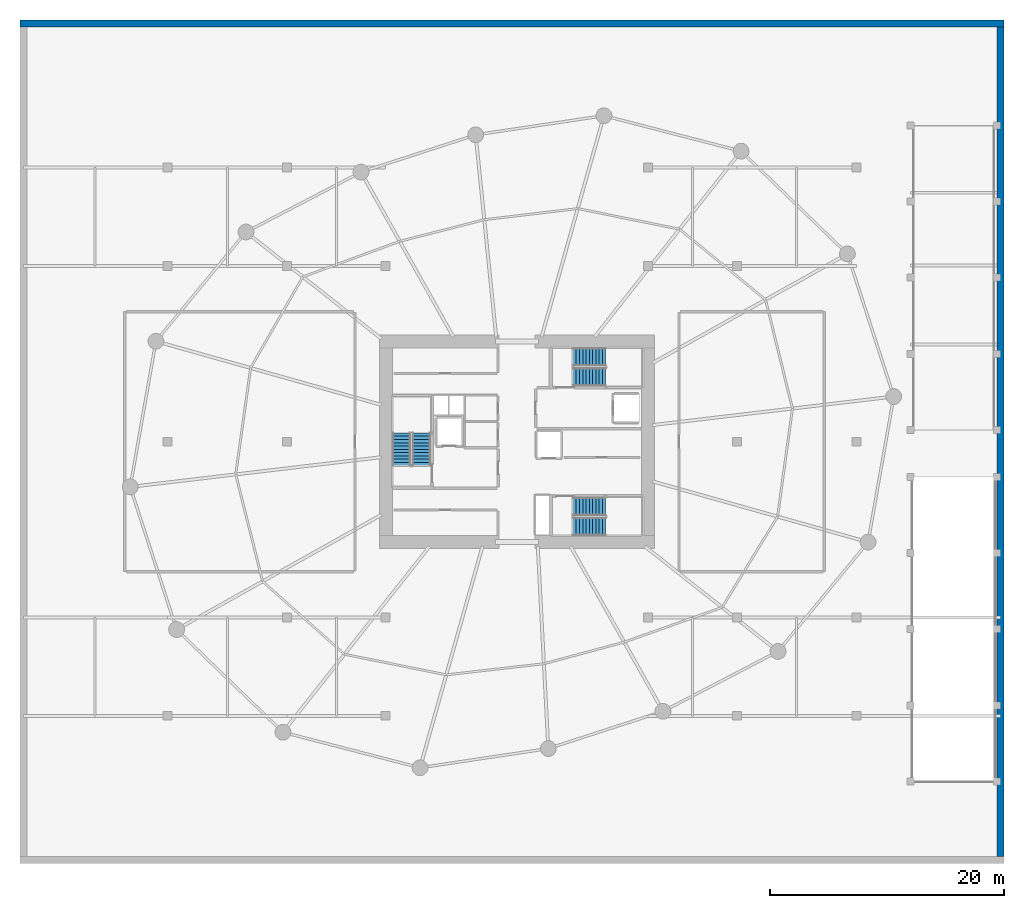
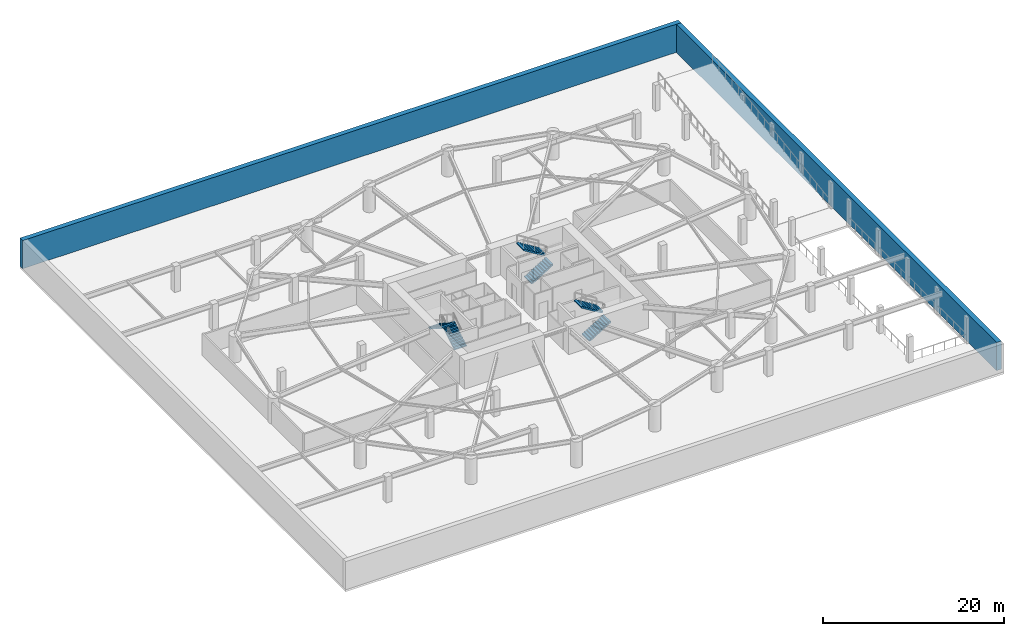
# One storey, part 11 of 13: 6 stair flights, 2 walls, 3 elements without a shape of their own.
"""IFC4 building model written with IfcOpenShell, lengths in metres."""

import ifcopenshell
import ifcopenshell.guid

model = None  # the IFC model being written
_history = None  # IfcOwnerHistory: only IFC2X3 demands one
_inside = {}  # id of a spatial element -> (the spatial element, [elements in it])
_under = {}  # id of a project, library or spatial element -> (it, [spatial elements below it])
_declared = {}  # id of a project -> (the project, [libraries it declares])
_typed = {}  # id of a type object -> (the type object, [elements of that type])
_made_of = {}  # id of a material, layer set ... -> (it, [elements and type objects made of it])


def new_model(schema):
    """Start an empty IFC model of exactly this schema.

    Asked for "IFC4X3", IfcOpenShell would pick the latest addendum, in which some entities
    have other attributes; the version numbers below select the first issue.
    IFC2X3 requires an IfcOwnerHistory on every rooted entity: one is made here for all.
    """
    global model, _history
    if schema == "IFC4X3":
        model = ifcopenshell.file(schema_version=(4, 3, 0, 0))
    else:
        model = ifcopenshell.file(schema=schema)
    _inside.clear()
    _under.clear()
    _declared.clear()
    _typed.clear()
    _made_of.clear()
    _history = None
    if model.schema == "IFC2X3":
        org = make("IfcOrganization", Name="unknown")
        user = make(
            "IfcPersonAndOrganization",
            ThePerson=make("IfcPerson", FamilyName="unknown"),
            TheOrganization=org,
        )
        app = make(
            "IfcApplication",
            ApplicationDeveloper=org,
            Version="unknown",
            ApplicationFullName="unknown",
            ApplicationIdentifier="unknown",
        )
        _history = make(
            "IfcOwnerHistory",
            OwningUser=user,
            OwningApplication=app,
            ChangeAction="ADDED",
            CreationDate=0,
        )
    return model


def make(cls, **values):
    """One entity of the class cls with the attributes given. An attribute that is None is left unset."""
    return model.create_entity(
        cls, **{name: value for name, value in values.items() if value is not None}
    )


def rooted(cls, **values):
    """An entity with a GlobalId (a new one), such as an element, a storey or a relation."""
    return make(cls, GlobalId=ifcopenshell.guid.new(), OwnerHistory=_history, **values)


def si_unit(unit_type, name, prefix=None):
    """IfcSIUnit, for example si_unit("LENGTHUNIT", "METRE", prefix="MILLI")."""
    return make("IfcSIUnit", UnitType=unit_type, Prefix=prefix, Name=name)


def assignment(units):
    """IfcUnitAssignment: the units of a project."""
    return None if units is None else make("IfcUnitAssignment", Units=units)


def point(xyz):
    """IfcCartesianPoint."""
    return None if xyz is None else make("IfcCartesianPoint", Coordinates=xyz)


def direction(xyz):
    """IfcDirection."""
    return None if xyz is None else make("IfcDirection", DirectionRatios=xyz)


def frame(location, z_axis=None, x_axis=None):
    """IfcAxis2Placement3D, a coordinate frame: its origin and axes. An axis left out is left unset."""
    return make(
        "IfcAxis2Placement3D",
        Location=point(location),
        Axis=direction(z_axis),
        RefDirection=direction(x_axis),
    )


def frame_2d(location, x_axis=None):
    """IfcAxis2Placement2D, a coordinate frame in the plane: its origin and x axis."""
    return make(
        "IfcAxis2Placement2D", Location=point(location), RefDirection=direction(x_axis)
    )


def origin():
    """The frame at (0, 0, 0) with its axes left unset."""
    return frame((0.0, 0.0, 0.0))


def place(relative_to, where):
    """IfcLocalPlacement: puts the frame where relative to a parent placement (None: the world)."""
    return make(
        "IfcLocalPlacement", PlacementRelTo=relative_to, RelativePlacement=where
    )


def context(
    kind, dimensions, precision=None, world=None, true_north=None, identifier=None
):
    """IfcGeometricRepresentationContext, for example the 3D "Model" context."""
    return make(
        "IfcGeometricRepresentationContext",
        ContextIdentifier=identifier,
        ContextType=kind,
        CoordinateSpaceDimension=dimensions,
        Precision=precision,
        WorldCoordinateSystem=world,
        TrueNorth=true_north,
    )


def subcontext(parent, identifier, kind, view, scale=None):
    """IfcGeometricRepresentationSubContext, for example "Body" below "Model"."""
    return make(
        "IfcGeometricRepresentationSubContext",
        ContextIdentifier=identifier,
        ContextType=kind,
        ParentContext=parent,
        TargetScale=scale,
        TargetView=view,
    )


def project(units=None, contexts=None):
    """IfcProject with its units and contexts."""
    return rooted(
        "IfcProject",
        Name="project",
        RepresentationContexts=contexts,
        UnitsInContext=assignment(units),
    )


def spatial(cls, under=None, at=None, **own):
    """A site, building, storey or space (cls), placed at a placement, below another one or the project."""
    s = rooted(cls, ObjectPlacement=at, **own)
    if under is not None:
        _under.setdefault(under.id(), (under, []))[1].append(s)
    return s


def polyline(points):
    """IfcPolyline through the points."""
    return make("IfcPolyline", Points=[point(p) for p in points])


def profile(cls, at=None, kind="AREA", **sizes):
    """A parametric profile (cls). Its sizes go by their IFC names, for example OverallWidth=200.0."""
    return make(cls, ProfileType=kind, Position=at, **sizes)


def rectangle(**sizes):
    """IfcRectangleProfileDef."""
    return profile("IfcRectangleProfileDef", **sizes)


def outline(outer, holes=None, kind="AREA"):
    """IfcArbitraryClosedProfileDef: a profile drawn as a closed curve; with holes, ...WithVoids."""
    if holes is None:
        return make("IfcArbitraryClosedProfileDef", ProfileType=kind, OuterCurve=outer)
    return make(
        "IfcArbitraryProfileDefWithVoids",
        ProfileType=kind,
        OuterCurve=outer,
        InnerCurves=holes,
    )


def extrude(swept, where, along, depth):
    """IfcExtrudedAreaSolid: the profile swept, set in the frame where, extruded along a direction by depth."""
    return make(
        "IfcExtrudedAreaSolid",
        SweptArea=swept,
        Position=where,
        ExtrudedDirection=direction(along),
        Depth=depth,
    )


def shape(context_of_items, identifier, shape_type, items):
    """IfcShapeRepresentation: the items that make up one representation, for example the "Body"."""
    return make(
        "IfcShapeRepresentation",
        ContextOfItems=context_of_items,
        RepresentationIdentifier=identifier,
        RepresentationType=shape_type,
        Items=items,
    )


def material(Name=None, Category=None):
    """IfcMaterial."""
    return make("IfcMaterial", Name=Name, Category=Category)


def layer(
    of_material, thickness, ventilated=None, Name=None, Category=None, Priority=None
):
    """IfcMaterialLayer: one layer of a wall or slab, of a material (None: an air gap)."""
    return make(
        "IfcMaterialLayer",
        Material=of_material,
        LayerThickness=thickness,
        IsVentilated=ventilated,
        Name=Name,
        Category=Category,
        Priority=Priority,
    )


def layer_set(layers, Name=None):
    """IfcMaterialLayerSet."""
    return make("IfcMaterialLayerSet", MaterialLayers=layers, LayerSetName=Name)


def made_of(thing, what):
    """Note that an element or type object is made of a material, layer set ...; save() writes the relation."""
    if what is not None:
        _made_of.setdefault(what.id(), (what, []))[1].append(thing)
    return thing


def type_object(cls, material=None, **own):
    """A type object (cls), such as IfcWallType, which elements share."""
    return made_of(rooted(cls, **own), material)


def element(
    cls,
    number,
    at=None,
    inside=None,
    cuts=None,
    type_object=None,
    material=None,
    context=None,
    identifier="Body",
    shape_type=None,
    held_by="IfcProductDefinitionShape",
    body=None,
    shapes=None,
    **own,
):
    """One element of the class cls, such as IfcWall. Its Tag is "e" and its number.

    at: its placement. inside: the storey or other place that contains it. cuts: it is an
    opening in that element (IfcRelVoidsElement). A single representation is given by context,
    identifier, shape_type and body (its items); several are given by shapes. held_by: the class
    of the entity that holds the representations. save() writes the other relations.
    """
    e = rooted(cls, Tag="e%d" % number, ObjectPlacement=at, **own)
    if body is not None:
        shapes = [shape(context, identifier, shape_type, body)]
    if shapes is not None:
        e.Representation = make(held_by, Representations=shapes)
    if inside is not None:
        _inside.setdefault(inside.id(), (inside, []))[1].append(e)
    if cuts is not None:
        rooted(
            "IfcRelVoidsElement", RelatingBuildingElement=cuts, RelatedOpeningElement=e
        )
    if type_object is not None:
        _typed.setdefault(type_object.id(), (type_object, []))[1].append(e)
    return made_of(e, material)


def aggregate(whole, parts):
    """IfcRelAggregates: a whole, such as a stair, and the parts it consists of."""
    return rooted("IfcRelAggregates", RelatingObject=whole, RelatedObjects=parts)


def save(model, path):
    """Write the relations noted so far, then the file.

    IfcRelAggregates (storeys below a building ...), IfcRelContainedInSpatialStructure (elements
    in a storey), IfcRelDefinesByType, IfcRelAssociatesMaterial and IfcRelDeclares: one each for
    every whole, place, type object, material and project.
    """
    for whole, parts in _under.values():
        aggregate(whole, parts)
    for where, things in _inside.values():
        rooted(
            "IfcRelContainedInSpatialStructure",
            RelatedElements=things,
            RelatingStructure=where,
        )
    for kind, things in _typed.values():
        rooted("IfcRelDefinesByType", RelatedObjects=things, RelatingType=kind)
    for what, things in _made_of.values():
        rooted("IfcRelAssociatesMaterial", RelatedObjects=things, RelatingMaterial=what)
    for by, libraries in _declared.values():
        rooted("IfcRelDeclares", RelatingContext=by, RelatedDefinitions=libraries)
    model.write(path)


model = new_model("IFC4")

# Units and contexts
model_context = context("Model", 3, precision=1e-05, world=origin(), true_north=direction((0.0, 1.0)))
body_context = subcontext(model_context, "Body", "Model", "MODEL_VIEW")
ifc_project = project(units=[si_unit("LENGTHUNIT", "METRE"), si_unit("AREAUNIT", "SQUARE_METRE"), si_unit("VOLUMEUNIT", "CUBIC_METRE"), si_unit("PLANEANGLEUNIT", "RADIAN"), si_unit("MASSUNIT", "GRAM", prefix="KILO")], contexts=[model_context])

# Site, building, storey
site_placement = place(None, origin())
site = spatial("IfcSite", under=ifc_project, at=site_placement, CompositionType="ELEMENT")
building_placement = place(site_placement, origin())
building = spatial("IfcBuilding", under=site, at=building_placement, Name="Kazma Halo Residences", CompositionType="ELEMENT")
storey_placement = place(building_placement, frame((0.0, 0.0, -3.800048828125)))
storey = spatial("IfcBuildingStorey", under=building, at=storey_placement, Name="B01", CompositionType="ELEMENT", Elevation=-3.800048828125)

# Walls
ifc_material = material(Name="Concrete C50/60", Category="concrete")
ifc_layer = layer(ifc_material, 0.60009765625)
ifc_layer_set = layer_set([ifc_layer], Name="Concrete C50/60")
wall_type = type_object("IfcWallType", Name="WL-RET-600", PredefinedType="USERDEFINED", material=ifc_layer_set)
wall_1_placement = place(storey_placement, frame((6.0, 77.699951171875, 0.0), z_axis=(0.0, 0.0, 1.0), x_axis=(1.0, 0.0, 0.0)))
element("IfcWall", 1, at=wall_1_placement, inside=storey, type_object=wall_type, Name="B01 N perimeter retaining wall", ObjectType="RETAININGWALL", PredefinedType="USERDEFINED", context=body_context, shape_type="SweptSolid", body=[
    extrude(rectangle(XDim=84.0, YDim=0.60009765625, at=frame_2d((42.0, 0.0))), origin(), (0.0, 0.0, 1.0), 3.800048828125),
])
wall_2_placement = place(storey_placement, frame((89.699951171875, 6.60009765625, 0.0), z_axis=(0.0, 0.0, 1.0), x_axis=(0.0, 1.0, 0.0)))
element("IfcWall", 2, at=wall_2_placement, inside=storey, type_object=wall_type, Name="B01 E perimeter retaining wall", ObjectType="RETAININGWALL", PredefinedType="USERDEFINED", context=body_context, shape_type="SweptSolid", body=[
    extrude(rectangle(XDim=70.7998046875, YDim=0.60009765625, at=frame_2d((35.39990234375, 0.0))), origin(), (0.0, 0.0, 1.0), 3.800048828125),
])

# Stair, stair flights
stair_type = type_object("IfcStairType", Name="STR-BSMT", PredefinedType="HALF_TURN_STAIR", material=ifc_material)
stair_1_placement = place(storey_placement, origin())
stair_1 = element("IfcStair", 3, at=stair_1_placement, inside=storey, type_object=stair_type, Name="B01 Core exit stair ST-01", PredefinedType="HALF_TURN_STAIR")
stair_flight_type = type_object("IfcStairFlightType", Name="STR-BSMT-FLT", PredefinedType="STRAIGHT", material=ifc_material)
stair_flight_1_placement = place(storey_placement, frame((40.27490234375, 39.949951171875, 0.0), z_axis=(0.0, 0.0, 1.0), x_axis=(0.0, 1.0, 0.0)))
stair_flight_1 = element("IfcStairFlight", 4, at=stair_flight_1_placement, type_object=stair_flight_type, Name="ST-01 flight 1", NumberOfRisers=11, NumberOfTreads=10, PredefinedType="STRAIGHT", RiserHeight=0.172727273, TreadLength=0.28, context=body_context, shape_type="SweptSolid", body=[
    extrude(outline(polyline([(0.0, 0.0), (0.0, 0.172607421875), (0.280029296875, 0.172607421875), (0.280029296875, 0.345458984375), (0.56005859375, 0.345458984375), (0.56005859375, 0.51806640625), (0.840087890625, 0.51806640625), (0.840087890625, 0.69091796875), (1.1201171875, 0.69091796875), (1.1201171875, 0.863525390625), (1.39990234375, 0.863525390625), (1.39990234375, 1.036376953125), (1.679931640625, 1.036376953125), (1.679931640625, 1.208984375), (1.9599609375, 1.208984375), (1.9599609375, 1.3818359375), (2.239990234375, 1.3818359375), (2.239990234375, 1.554443359375), (2.52001953125, 1.554443359375), (2.52001953125, 1.727294921875), (2.800048828125, 1.727294921875), (2.800048828125, 1.89990234375), (2.800048828125, 1.551025390625), (0.285400390625, 0.0), (0.0, 0.0)])), frame((0.0, 0.77490234375, 0.0), z_axis=(0.0, -1.0, 0.0), x_axis=(1.0, 0.0, 0.0)), (0.0, 0.0, 1.0), 1.550048828125),
])
stair_flight_2_placement = place(storey_placement, frame((38.574951171875, 42.75, 1.900146484375), z_axis=(0.0, 0.0, 1.0), x_axis=(0.0, -1.0, 0.0)))
stair_flight_2 = element("IfcStairFlight", 5, at=stair_flight_2_placement, type_object=stair_flight_type, Name="ST-01 flight 2", NumberOfRisers=11, NumberOfTreads=10, PredefinedType="STRAIGHT", RiserHeight=0.172727273, TreadLength=0.28, context=body_context, shape_type="SweptSolid", body=[
    extrude(outline(polyline([(0.0, 0.0), (0.0, 0.172607421875), (0.280029296875, 0.172607421875), (0.280029296875, 0.345458984375), (0.56005859375, 0.345458984375), (0.56005859375, 0.51806640625), (0.840087890625, 0.51806640625), (0.840087890625, 0.69091796875), (1.1201171875, 0.69091796875), (1.1201171875, 0.863525390625), (1.39990234375, 0.863525390625), (1.39990234375, 1.036376953125), (1.679931640625, 1.036376953125), (1.679931640625, 1.208984375), (1.9599609375, 1.208984375), (1.9599609375, 1.3818359375), (2.239990234375, 1.3818359375), (2.239990234375, 1.554443359375), (2.52001953125, 1.554443359375), (2.52001953125, 1.727294921875), (2.800048828125, 1.727294921875), (2.800048828125, 1.89990234375), (2.800048828125, 1.551025390625), (0.285400390625, 0.0), (0.0, 0.0)])), frame((0.0, 0.77490234375, 0.0), z_axis=(0.0, -1.0, 0.0), x_axis=(1.0, 0.0, 0.0)), (0.0, 0.0, 1.0), 1.550048828125),
])
aggregate(stair_1, [stair_flight_1, stair_flight_2])

stair_2_placement = place(storey_placement, origin())
stair_2 = element("IfcStair", 6, at=stair_2_placement, inside=storey, type_object=stair_type, Name="B01 Core exit stair ST-02", PredefinedType="HALF_TURN_STAIR")
stair_flight_3_placement = place(storey_placement, frame((53.199951171875, 47.52490234375, 0.0), z_axis=(0.0, 0.0, 1.0), x_axis=(1.0, 0.0, 0.0)))
stair_flight_3 = element("IfcStairFlight", 7, at=stair_flight_3_placement, type_object=stair_flight_type, Name="ST-02 flight 1", NumberOfRisers=11, NumberOfTreads=10, PredefinedType="STRAIGHT", RiserHeight=0.172727273, TreadLength=0.28, context=body_context, shape_type="SweptSolid", body=[
    extrude(outline(polyline([(0.0, 0.0), (0.0, 0.172607421875), (0.280029296875, 0.172607421875), (0.280029296875, 0.345458984375), (0.56005859375, 0.345458984375), (0.56005859375, 0.51806640625), (0.840087890625, 0.51806640625), (0.840087890625, 0.69091796875), (1.1201171875, 0.69091796875), (1.1201171875, 0.863525390625), (1.39990234375, 0.863525390625), (1.39990234375, 1.036376953125), (1.679931640625, 1.036376953125), (1.679931640625, 1.208984375), (1.9599609375, 1.208984375), (1.9599609375, 1.3818359375), (2.239990234375, 1.3818359375), (2.239990234375, 1.554443359375), (2.52001953125, 1.554443359375), (2.52001953125, 1.727294921875), (2.800048828125, 1.727294921875), (2.800048828125, 1.89990234375), (2.800048828125, 1.551025390625), (0.285400390625, 0.0), (0.0, 0.0)])), frame((0.0, 0.77490234375, 0.0), z_axis=(0.0, -1.0, 0.0), x_axis=(1.0, 0.0, 0.0)), (0.0, 0.0, 1.0), 1.550048828125),
])
stair_flight_4_placement = place(storey_placement, frame((56.0, 49.22509765625, 1.900146484375), z_axis=(0.0, 0.0, 1.0), x_axis=(-1.0, 0.0, 0.0)))
stair_flight_4 = element("IfcStairFlight", 8, at=stair_flight_4_placement, type_object=stair_flight_type, Name="ST-02 flight 2", NumberOfRisers=11, NumberOfTreads=10, PredefinedType="STRAIGHT", RiserHeight=0.172727273, TreadLength=0.28, context=body_context, shape_type="SweptSolid", body=[
    extrude(outline(polyline([(0.0, 0.0), (0.0, 0.172607421875), (0.280029296875, 0.172607421875), (0.280029296875, 0.345458984375), (0.56005859375, 0.345458984375), (0.56005859375, 0.51806640625), (0.840087890625, 0.51806640625), (0.840087890625, 0.69091796875), (1.1201171875, 0.69091796875), (1.1201171875, 0.863525390625), (1.39990234375, 0.863525390625), (1.39990234375, 1.036376953125), (1.679931640625, 1.036376953125), (1.679931640625, 1.208984375), (1.9599609375, 1.208984375), (1.9599609375, 1.3818359375), (2.239990234375, 1.3818359375), (2.239990234375, 1.554443359375), (2.52001953125, 1.554443359375), (2.52001953125, 1.727294921875), (2.800048828125, 1.727294921875), (2.800048828125, 1.89990234375), (2.800048828125, 1.551025390625), (0.285400390625, 0.0), (0.0, 0.0)])), frame((0.0, 0.77490234375, 0.0), z_axis=(0.0, -1.0, 0.0), x_axis=(1.0, 0.0, 0.0)), (0.0, 0.0, 1.0), 1.550048828125),
])
aggregate(stair_2, [stair_flight_3, stair_flight_4])

stair_3_placement = place(storey_placement, origin())
stair_3 = element("IfcStair", 9, at=stair_3_placement, inside=storey, type_object=stair_type, Name="B01 Core exit stair ST-03", PredefinedType="HALF_TURN_STAIR")
stair_flight_5_placement = place(storey_placement, frame((53.199951171875, 34.77490234375, 0.0), z_axis=(0.0, 0.0, 1.0), x_axis=(1.0, 0.0, 0.0)))
stair_flight_5 = element("IfcStairFlight", 10, at=stair_flight_5_placement, type_object=stair_flight_type, Name="ST-03 flight 1", NumberOfRisers=11, NumberOfTreads=10, PredefinedType="STRAIGHT", RiserHeight=0.172727273, TreadLength=0.28, context=body_context, shape_type="SweptSolid", body=[
    extrude(outline(polyline([(0.0, 0.0), (0.0, 0.172607421875), (0.280029296875, 0.172607421875), (0.280029296875, 0.345458984375), (0.56005859375, 0.345458984375), (0.56005859375, 0.51806640625), (0.840087890625, 0.51806640625), (0.840087890625, 0.69091796875), (1.1201171875, 0.69091796875), (1.1201171875, 0.863525390625), (1.39990234375, 0.863525390625), (1.39990234375, 1.036376953125), (1.679931640625, 1.036376953125), (1.679931640625, 1.208984375), (1.9599609375, 1.208984375), (1.9599609375, 1.3818359375), (2.239990234375, 1.3818359375), (2.239990234375, 1.554443359375), (2.52001953125, 1.554443359375), (2.52001953125, 1.727294921875), (2.800048828125, 1.727294921875), (2.800048828125, 1.89990234375), (2.800048828125, 1.551025390625), (0.285400390625, 0.0), (0.0, 0.0)])), frame((0.0, 0.77490234375, 0.0), z_axis=(0.0, -1.0, 0.0), x_axis=(1.0, 0.0, 0.0)), (0.0, 0.0, 1.0), 1.550048828125),
])
stair_flight_6_placement = place(storey_placement, frame((56.0, 36.47509765625, 1.900146484375), z_axis=(0.0, 0.0, 1.0), x_axis=(-1.0, 0.0, 0.0)))
stair_flight_6 = element("IfcStairFlight", 11, at=stair_flight_6_placement, type_object=stair_flight_type, Name="ST-03 flight 2", NumberOfRisers=11, NumberOfTreads=10, PredefinedType="STRAIGHT", RiserHeight=0.172727273, TreadLength=0.28, context=body_context, shape_type="SweptSolid", body=[
    extrude(outline(polyline([(0.0, 0.0), (0.0, 0.172607421875), (0.280029296875, 0.172607421875), (0.280029296875, 0.345458984375), (0.56005859375, 0.345458984375), (0.56005859375, 0.51806640625), (0.840087890625, 0.51806640625), (0.840087890625, 0.69091796875), (1.1201171875, 0.69091796875), (1.1201171875, 0.863525390625), (1.39990234375, 0.863525390625), (1.39990234375, 1.036376953125), (1.679931640625, 1.036376953125), (1.679931640625, 1.208984375), (1.9599609375, 1.208984375), (1.9599609375, 1.3818359375), (2.239990234375, 1.3818359375), (2.239990234375, 1.554443359375), (2.52001953125, 1.554443359375), (2.52001953125, 1.727294921875), (2.800048828125, 1.727294921875), (2.800048828125, 1.89990234375), (2.800048828125, 1.551025390625), (0.285400390625, 0.0), (0.0, 0.0)])), frame((0.0, 0.77490234375, 0.0), z_axis=(0.0, -1.0, 0.0), x_axis=(1.0, 0.0, 0.0)), (0.0, 0.0, 1.0), 1.550048828125),
])
aggregate(stair_3, [stair_flight_5, stair_flight_6])

save(model, "model.ifc")
